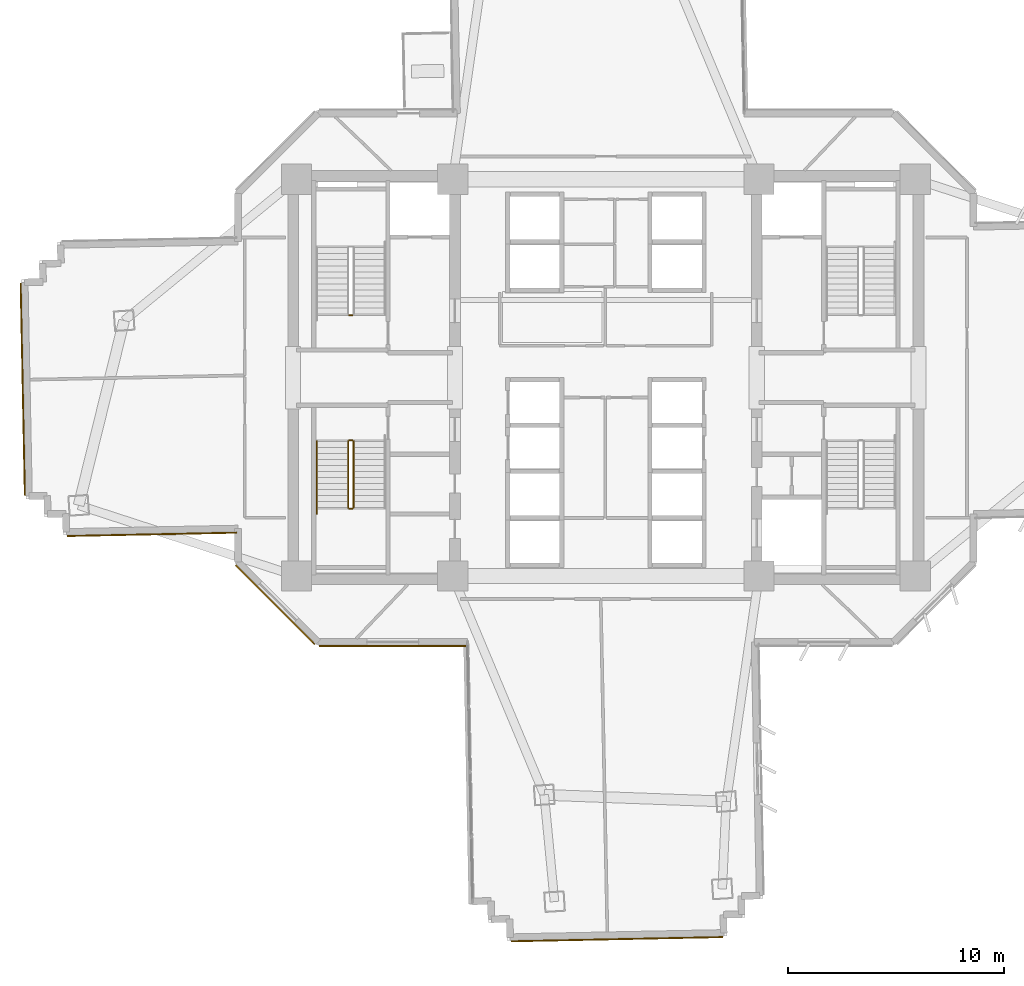
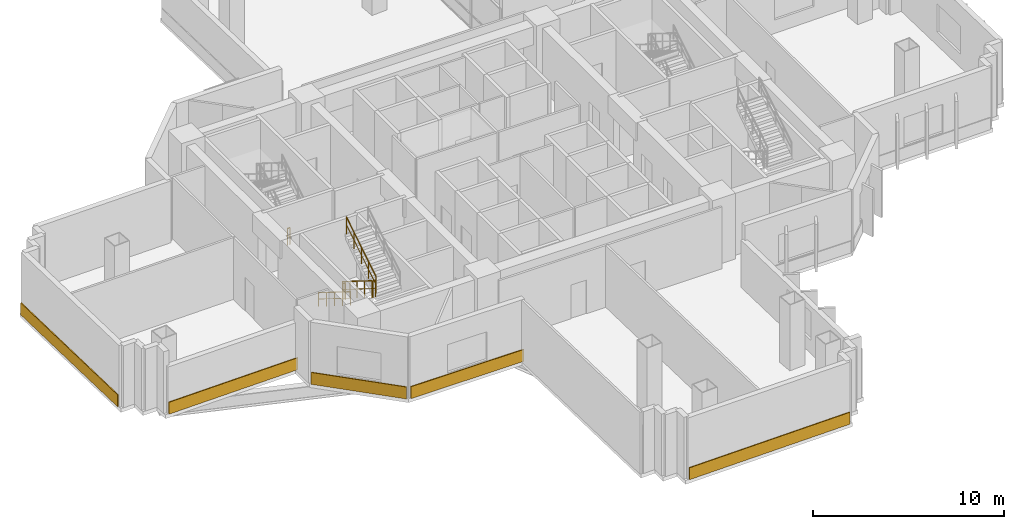
# One storey, part 11 of 15: 6 railings, 5 coverings.
"""IFC4 building model written with IfcOpenShell, lengths in metres."""

from ifc_helpers import new_model, si_unit, direction, frame, origin, origin_2d, place, context, subcontext, project, spatial, rectangle, extrude, source, transform, mapped, material, layer, layer_set, type_object, element, save


model = new_model("IFC4")

# Units and contexts
model_context = context("Model", 3, precision=1e-05, world=origin(), true_north=direction((0.0, 1.0)))
body_context = subcontext(model_context, "Body", "Model", "MODEL_VIEW")
ifc_project = project(units=[si_unit("LENGTHUNIT", "METRE"), si_unit("AREAUNIT", "SQUARE_METRE"), si_unit("VOLUMEUNIT", "CUBIC_METRE"), si_unit("PLANEANGLEUNIT", "RADIAN"), si_unit("MASSUNIT", "GRAM", prefix="KILO")], contexts=[model_context])

# Site, building, storey
site_placement = place(None, origin())
site = spatial("IfcSite", under=ifc_project, at=site_placement, CompositionType="ELEMENT")
building_placement = place(site_placement, origin())
building = spatial("IfcBuilding", under=site, at=building_placement, Name="Zahravan Cultural Tower", CompositionType="ELEMENT")
storey_placement = place(building_placement, frame((0.0, 0.0, 50.10009765625)))
storey = spatial("IfcBuildingStorey", under=building, at=storey_placement, Name="L10", CompositionType="ELEMENT", Elevation=50.10009765625)

# Railings
ifc_material_1 = material(Name="Steel ASTM A572 Grade 50", Category="steel")
railing_type_1 = type_object("IfcRailingType", Name="RL-STAIR-GRD1150", PredefinedType="BALUSTRADE", material=ifc_material_1)
railing_1_placement = place(storey_placement, frame((24.25, 29.89990234375, 0.0)))
element("IfcRailing", 1, at=railing_1_placement, inside=storey, type_object=railing_type_1, Name="L10 ST-W1 stair guard 4", PredefinedType="BALUSTRADE", context=body_context, shape_type="SweptSolid", body=[
    extrude(rectangle(XDim=0.05, YDim=0.05, at=origin_2d()), frame((0.0, 0.0, 1.0751953125), z_axis=(-1.0, 0.0, 0.0), x_axis=(0.0, -1.0, 0.0)), (0.0, 0.0, 1.0), 0.14990234375),
    extrude(rectangle(XDim=0.032, YDim=0.032, at=origin_2d()), frame((0.0, 0.0, 0.572021484375), z_axis=(-1.0, 0.0, 0.0), x_axis=(0.0, -1.0, 0.0)), (0.0, 0.0, 1.0), 0.14990234375),
    extrude(rectangle(XDim=0.04, YDim=0.04, at=origin_2d()), origin(), (0.0, 0.0, 1.0), 1.10009765625),
    extrude(rectangle(XDim=0.04, YDim=0.04, at=origin_2d()), frame((-0.14990234375, 0.0, 0.0)), (0.0, 0.0, 1.0), 1.10009765625),
])
railing_2_placement = place(storey_placement, frame((24.050048828125, 24.050048828125, 0.1748046875)))
element("IfcRailing", 2, at=railing_2_placement, inside=storey, type_object=railing_type_1, Name="L10 ST-W2 stair guard 1", PredefinedType="BALUSTRADE", context=body_context, shape_type="SweptSolid", body=[
    extrude(rectangle(XDim=0.05, YDim=0.05, at=origin_2d()), frame((0.0, 0.0, 1.0751953125), z_axis=(0.0, -0.847998304005, 0.529998940003), x_axis=(1.0, 0.0, 0.0)), (0.0, 0.0, 1.0), 3.632080078125),
    extrude(rectangle(XDim=0.032, YDim=0.032, at=origin_2d()), frame((0.0, 0.0, 0.572021484375), z_axis=(0.0, -0.847998304005, 0.529998940003), x_axis=(1.0, 0.0, 0.0)), (0.0, 0.0, 1.0), 3.632080078125),
    extrude(rectangle(XDim=0.04, YDim=0.04, at=origin_2d()), origin(), (0.0, 0.0, 1.0), 1.10009765625),
    extrude(rectangle(XDim=0.04, YDim=0.04, at=origin_2d()), frame((0.0, -0.77001953125, 0.481201171875)), (0.0, 0.0, 1.0), 1.10009765625),
    extrude(rectangle(XDim=0.04, YDim=0.04, at=origin_2d()), frame((0.0, -1.5400390625, 0.96240234375)), (0.0, 0.0, 1.0), 1.10009765625),
    extrude(rectangle(XDim=0.04, YDim=0.04, at=origin_2d()), frame((0.0, -2.31005859375, 1.44384765625)), (0.0, 0.0, 1.0), 1.10009765625),
    extrude(rectangle(XDim=0.04, YDim=0.04, at=origin_2d()), frame((0.0, -3.080078125, 1.925048828125)), (0.0, 0.0, 1.0), 1.10009765625),
])
railing_3_placement = place(storey_placement, frame((24.10009765625, 20.919921875, 2.099853515625)))
element("IfcRailing", 3, at=railing_3_placement, inside=storey, type_object=railing_type_1, Name="L10 ST-W2 stair guard 2", PredefinedType="BALUSTRADE", context=body_context, shape_type="SweptSolid", body=[
    extrude(rectangle(XDim=0.05, YDim=0.05, at=origin_2d()), frame((0.0, 0.0, 1.0751953125), z_axis=(1.0, 0.0, 0.0), x_axis=(0.0, 1.0, 0.0)), (0.0, 0.0, 1.0), 0.14990234375),
    extrude(rectangle(XDim=0.032, YDim=0.032, at=origin_2d()), frame((0.0, 0.0, 0.572021484375), z_axis=(1.0, 0.0, 0.0), x_axis=(0.0, 1.0, 0.0)), (0.0, 0.0, 1.0), 0.14990234375),
    extrude(rectangle(XDim=0.04, YDim=0.04, at=origin_2d()), origin(), (0.0, 0.0, 1.0), 1.10009765625),
    extrude(rectangle(XDim=0.04, YDim=0.04, at=origin_2d()), frame((0.14990234375, 0.0, 0.0)), (0.0, 0.0, 1.0), 1.10009765625),
])
railing_4_placement = place(storey_placement, frame((24.300048828125, 20.969970703125, 2.27490234375)))
element("IfcRailing", 4, at=railing_4_placement, inside=storey, type_object=railing_type_1, Name="L10 ST-W2 stair guard 3", PredefinedType="BALUSTRADE", context=body_context, shape_type="SweptSolid", body=[
    extrude(rectangle(XDim=0.05, YDim=0.05, at=origin_2d()), frame((0.0, 0.0, 1.0751953125), z_axis=(0.0, 0.847998304005, 0.529998940003), x_axis=(-1.0, 0.0, 0.0)), (0.0, 0.0, 1.0), 3.632080078125),
    extrude(rectangle(XDim=0.032, YDim=0.032, at=origin_2d()), frame((0.0, 0.0, 0.572021484375), z_axis=(0.0, 0.847998304005, 0.529998940003), x_axis=(-1.0, 0.0, 0.0)), (0.0, 0.0, 1.0), 3.632080078125),
    extrude(rectangle(XDim=0.04, YDim=0.04, at=origin_2d()), origin(), (0.0, 0.0, 1.0), 1.10009765625),
    extrude(rectangle(XDim=0.04, YDim=0.04, at=origin_2d()), frame((0.0, 0.77001953125, 0.481201171875)), (0.0, 0.0, 1.0), 1.10009765625),
    extrude(rectangle(XDim=0.04, YDim=0.04, at=origin_2d()), frame((0.0, 1.5400390625, 0.96240234375)), (0.0, 0.0, 1.0), 1.10009765625),
    extrude(rectangle(XDim=0.04, YDim=0.04, at=origin_2d()), frame((0.0, 2.31005859375, 1.44384765625)), (0.0, 0.0, 1.0), 1.10009765625),
    extrude(rectangle(XDim=0.04, YDim=0.04, at=origin_2d()), frame((0.0, 3.080078125, 1.925048828125)), (0.0, 0.0, 1.0), 1.10009765625),
])
railing_5_placement = place(storey_placement, frame((24.10009765625, 24.10009765625, 0.0)))
element("IfcRailing", 5, at=railing_5_placement, inside=storey, type_object=railing_type_1, Name="L10 ST-W2 stair guard 4", PredefinedType="BALUSTRADE", context=body_context, shape_type="SweptSolid", body=[
    extrude(rectangle(XDim=0.05, YDim=0.05, at=origin_2d()), frame((0.0, 0.0, 1.0751953125), z_axis=(1.0, 0.0, 0.0), x_axis=(0.0, 1.0, 0.0)), (0.0, 0.0, 1.0), 0.14990234375),
    extrude(rectangle(XDim=0.032, YDim=0.032, at=origin_2d()), frame((0.0, 0.0, 0.572021484375), z_axis=(1.0, 0.0, 0.0), x_axis=(0.0, 1.0, 0.0)), (0.0, 0.0, 1.0), 0.14990234375),
    extrude(rectangle(XDim=0.04, YDim=0.04, at=origin_2d()), origin(), (0.0, 0.0, 1.0), 1.10009765625),
    extrude(rectangle(XDim=0.04, YDim=0.04, at=origin_2d()), frame((0.14990234375, 0.0, 0.0)), (0.0, 0.0, 1.0), 1.10009765625),
])
railing_type_2 = type_object("IfcRailingType", Name="RL-STAIR-HR900", PredefinedType="HANDRAIL", material=ifc_material_1)
railing_6_placement = place(storey_placement, frame((22.60009765625, 24.050048828125, 0.1748046875)))
element("IfcRailing", 6, at=railing_6_placement, inside=storey, type_object=railing_type_2, Name="L10 ST-W2 stair handrail 1", PredefinedType="HANDRAIL", context=body_context, shape_type="SweptSolid", body=[
    extrude(rectangle(XDim=0.05, YDim=0.05, at=origin_2d()), frame((0.0, 0.0, 0.875), z_axis=(0.0, -0.847994842521, 0.530004478338), x_axis=(1.0, 0.0, 0.0)), (0.0, 0.0, 1.0), 3.96240234375),
    extrude(rectangle(XDim=0.032, YDim=0.032, at=origin_2d()), frame((0.0, 0.0, 0.468017578125), z_axis=(0.0, -0.847994842521, 0.530004478338), x_axis=(1.0, 0.0, 0.0)), (0.0, 0.0, 1.0), 3.96240234375),
    extrude(rectangle(XDim=0.04, YDim=0.04, at=origin_2d()), origin(), (0.0, 0.0, 1.0), 0.89990234375),
    extrude(rectangle(XDim=0.04, YDim=0.04, at=origin_2d()), frame((0.0, -0.840087890625, 0.52490234375)), (0.0, 0.0, 1.0), 0.89990234375),
    extrude(rectangle(XDim=0.04, YDim=0.04, at=origin_2d()), frame((0.0, -1.68017578125, 1.050048828125)), (0.0, 0.0, 1.0), 0.89990234375),
    extrude(rectangle(XDim=0.04, YDim=0.04, at=origin_2d()), frame((0.0, -2.52001953125, 1.5751953125)), (0.0, 0.0, 1.0), 0.89990234375),
    extrude(rectangle(XDim=0.04, YDim=0.04, at=origin_2d()), frame((0.0, -3.360107421875, 2.10009765625)), (0.0, 0.0, 1.0), 0.89990234375),
])

# Coverings
ifc_material_2 = material(Name="Terracotta ceramic cladding", Category="masonry")
ifc_layer = layer(ifc_material_2, 0.06005859375)
ifc_layer_set = layer_set([ifc_layer], Name="Terracotta ceramic cladding")
covering_type = type_object("IfcCoveringType", Name="COV-CLAD-TC60", PredefinedType="CLADDING", material=ifc_layer_set)
shared_shape_1 = source(origin(), body_context, "Body", "SweptSolid", [
    extrude(rectangle(XDim=9.820068359375, YDim=0.06005859375, at=origin_2d()), origin(), (0.0, 0.0, 1.0), 0.760009765625),
])
for number, where, z_axis, x_axis, name in (
    (7, (36.518310546875, 0.960205078125, 0.02001953125), (0.0, 0.0, 1.0), (-0.999802066131, -0.019895440708, 0.0), "L10 Terracotta Spandrel Cladding 20"),
    (8, (8.96044921875, 26.4619140625, 0.02001953125), (0.0, 0.0, 1.0), (-0.019895440708, 0.999802066131, 0.0), "L10 Terracotta Spandrel Cladding 33"),
):
    element("IfcCovering", number, at=place(storey_placement, frame(where, z_axis=z_axis, x_axis=x_axis)), inside=storey, type_object=covering_type, Name=name, PredefinedType="CLADDING", context=body_context, shape_type="MappedRepresentation", body=[
        mapped(shared_shape_1, transform((0.0, 0.0, 0.0), x_axis=(1.0, 0.0, 0.0), y_axis=(0.0, 1.0, 0.0), z_axis=(0.0, 0.0, 1.0), scale=1.0)),
    ])
shared_shape_2 = source(origin(), body_context, "Body", "SweptSolid", [
    extrude(rectangle(XDim=5.157958984375, YDim=0.06005859375, at=origin_2d()), origin(), (0.0, 0.0, 1.0), 0.760009765625),
])
covering_1_placement = place(storey_placement, frame((20.668212890625, 16.46826171875, 0.02001953125), z_axis=(0.0, 0.0, 1.0), x_axis=(-0.707106781187, 0.707106781187, 0.0)))
element("IfcCovering", 9, at=covering_1_placement, inside=storey, type_object=covering_type, Name="L10 Terracotta Spandrel Cladding 26", PredefinedType="CLADDING", context=body_context, shape_type="MappedRepresentation", body=[
    mapped(shared_shape_2, transform((0.0, 0.0, 0.0), x_axis=(1.0, 0.0, 0.0), y_axis=(0.0, 1.0, 0.0), z_axis=(0.0, 0.0, 1.0), scale=1.0)),
])
shared_shape_3 = source(origin(), body_context, "Body", "SweptSolid", [
    extrude(rectangle(XDim=7.864013671875, YDim=0.06005859375, at=origin_2d()), origin(), (0.0, 0.0, 1.0), 0.760009765625),
])
covering_2_placement = place(storey_placement, frame((14.96240234375, 19.735107421875, 0.02001953125), z_axis=(0.0, 0.0, 1.0), x_axis=(-0.999802066131, -0.019895440708, 0.0)))
element("IfcCovering", 10, at=covering_2_placement, inside=storey, type_object=covering_type, Name="L10 Terracotta Spandrel Cladding 28", PredefinedType="CLADDING", context=body_context, shape_type="MappedRepresentation", body=[
    mapped(shared_shape_3, transform((0.0, 0.0, 0.0), x_axis=(1.0, 0.0, 0.0), y_axis=(0.0, 1.0, 0.0), z_axis=(0.0, 0.0, 1.0), scale=1.0)),
])
shared_shape_4 = source(origin(), body_context, "Body", "SweptSolid", [
    extrude(rectangle(XDim=6.82470703125, YDim=0.06005859375, at=origin_2d()), origin(), (0.0, 0.0, 1.0), 0.760009765625),
])
covering_3_placement = place(storey_placement, frame((26.120361328125, 14.554931640625, 0.02001953125), z_axis=(0.0, 0.0, 1.0), x_axis=(-1.0, 0.0, 0.0)))
element("IfcCovering", 11, at=covering_3_placement, inside=storey, type_object=covering_type, Name="L10 Terracotta Spandrel Cladding 25", PredefinedType="CLADDING", context=body_context, shape_type="MappedRepresentation", body=[
    mapped(shared_shape_4, transform((0.0, 0.0, 0.0), x_axis=(1.0, 0.0, 0.0), y_axis=(0.0, 1.0, 0.0), z_axis=(0.0, 0.0, 1.0), scale=1.0)),
])

save(model, "model.ifc")
